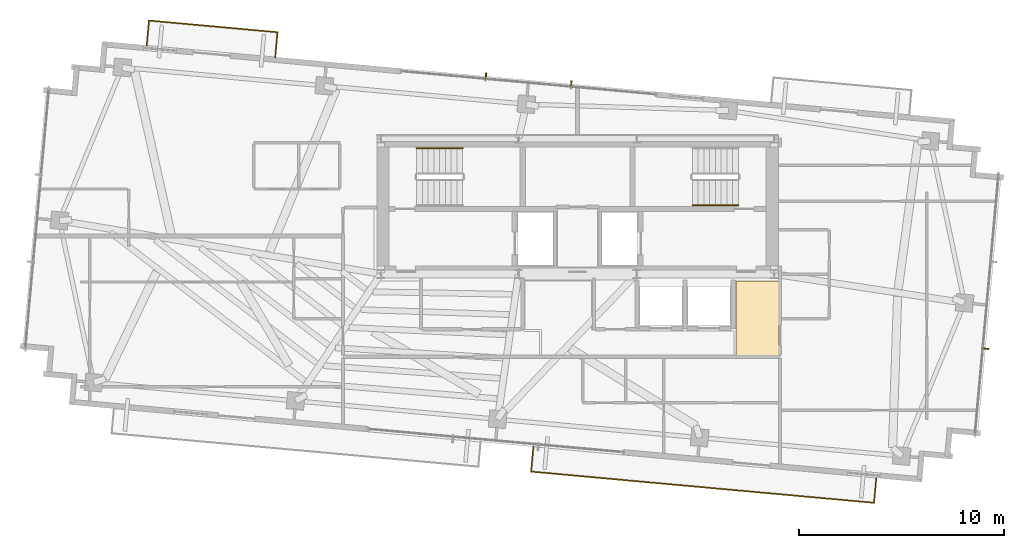
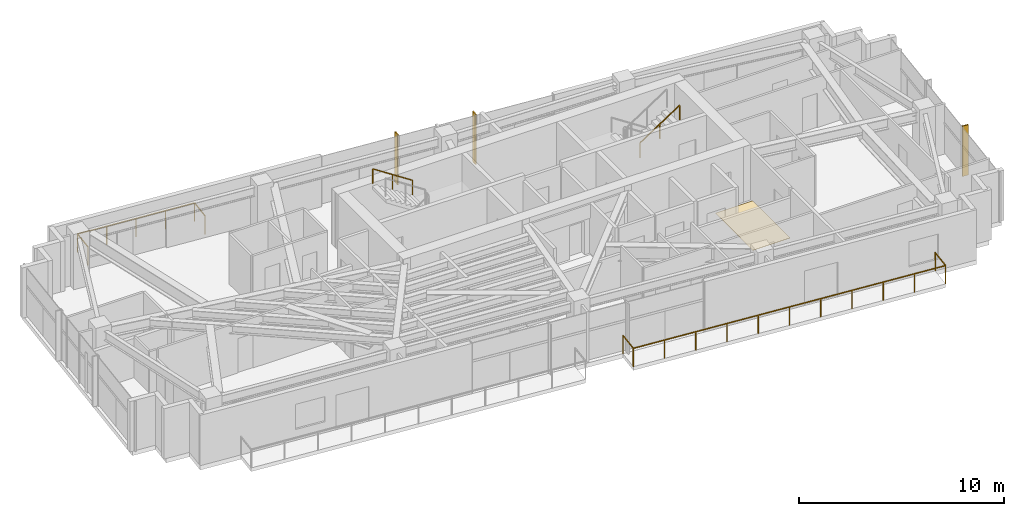
# One storey, part 21 of 22: 4 railings, 3 shading devices, 1 covering.
"""IFC4 building model written with IfcOpenShell, lengths in metres."""

from ifc_helpers import new_model, si_unit, direction, frame, origin, origin_2d, place, context, subcontext, project, spatial, polyline, rectangle, outline, extrude, source, transform, mapped, material, layer, layer_set, type_object, type_shapes, element, save


model = new_model("IFC4")

# Units and contexts
model_context = context("Model", 3, precision=1e-05, world=origin(), true_north=direction((0.0, 1.0)))
body_context = subcontext(model_context, "Body", "Model", "MODEL_VIEW")
ifc_project = project(units=[si_unit("LENGTHUNIT", "METRE"), si_unit("AREAUNIT", "SQUARE_METRE"), si_unit("VOLUMEUNIT", "CUBIC_METRE"), si_unit("PLANEANGLEUNIT", "RADIAN"), si_unit("MASSUNIT", "GRAM", prefix="KILO")], contexts=[model_context])

# Site, building, storey
site_placement = place(None, origin())
site = spatial("IfcSite", under=ifc_project, at=site_placement, CompositionType="ELEMENT")
building_placement = place(site_placement, origin())
building = spatial("IfcBuilding", under=site, at=building_placement, Name="Astriad Promenade Condominiums", CompositionType="ELEMENT")
storey_placement = place(building_placement, frame((0.0, 0.0, 256.199951171875)))
storey = spatial("IfcBuildingStorey", under=building, at=storey_placement, Name="L74", CompositionType="ELEMENT", Elevation=256.199951171875)

# Covering
ifc_material_1 = material(Name="Polished Lakefront Terrazzo Flooring")
ifc_layer = layer(ifc_material_1, 0.02001953125)
ifc_layer_set = layer_set([ifc_layer], Name="Polished Lakefront Terrazzo Flooring")
covering_type = type_object("IfcCoveringType", Name="COV-FLOR-TERRAZZO-20", PredefinedType="FLOORING", material=ifc_layer_set)
covering_placement = place(storey_placement, origin())
element("IfcCovering", 1, at=covering_placement, inside=storey, type_object=covering_type, Name="FLR-L74-COR-2", PredefinedType="FLOORING", context=body_context, shape_type="SweptSolid", body=[
    extrude(outline(polyline([(43.72998046875, 14.62353515625), (43.73095703125, 14.62451171875), (43.7333984375, 14.627685546875), (43.7353515625, 14.631103515625), (43.737060546875, 14.634765625), (43.73828125, 14.638427734375), (43.7392578125, 14.64208984375), (43.73974609375, 14.64599609375), (43.739990234375, 14.64990234375), (43.739990234375, 17.06005859375), (45.840087890625, 17.06005859375), (45.840087890625, 13.39990234375), (43.72998046875, 13.39990234375), (43.72998046875, 14.62353515625)])), origin(), (0.0, 0.0, 1.0), 0.02001953125),
])

# Railings
ifc_material_2 = material(Name="Laminated Glass and Stainless Steel Balustrade", Category="steel")
railing_type_1 = type_object("IfcRailingType", Name="GRD-BALC-1120", PredefinedType="BALUSTRADE", material=ifc_material_2)
shared_shape_1 = source(origin(), body_context, "Body", "SweptSolid", [
    extrude(rectangle(XDim=0.048095703125, YDim=0.048095703125, at=origin_2d()), frame((0.0, 0.0, 1.09619140625), z_axis=(-0.090643994769, -0.995883359743, 0.0), x_axis=(0.995883359743, -0.090643994769, 0.0)), (0.0, 0.0, 1.0), 1.22021484375),
    extrude(rectangle(XDim=0.048095703125, YDim=0.048095703125, at=origin_2d()), frame((-0.110595703125, -1.215087890625, 1.09619140625), z_axis=(0.995883798248, -0.09063917689, 0.0), x_axis=(0.09063917689, 0.995883798248, 0.0)), (0.0, 0.0, 1.0), 16.81298828125),
    extrude(rectangle(XDim=0.048095703125, YDim=0.048095703125, at=origin_2d()), frame((16.63330078125, -2.739013671875, 1.09619140625), z_axis=(0.090445536319, 0.995901403232, 0.0), x_axis=(-0.995901403232, 0.090445536319, 0.0)), (0.0, 0.0, 1.0), 1.219970703125),
    extrude(rectangle(XDim=0.0419921875, YDim=0.0419921875, at=origin_2d()), origin(), (0.0, 0.0, 1.0), 1.072021484375),
    extrude(rectangle(XDim=0.0419921875, YDim=0.0419921875, at=origin_2d()), frame((-0.110595703125, -1.215087890625, 0.0)), (0.0, 0.0, 1.0), 1.072021484375),
    extrude(rectangle(XDim=0.0419921875, YDim=0.0419921875, at=origin_2d()), frame((1.563720703125, -1.367431640625, 0.0)), (0.0, 0.0, 1.0), 1.072021484375),
    extrude(rectangle(XDim=0.0419921875, YDim=0.0419921875, at=origin_2d()), frame((3.23828125, -1.519775390625, 0.0)), (0.0, 0.0, 1.0), 1.072021484375),
    extrude(rectangle(XDim=0.0419921875, YDim=0.0419921875, at=origin_2d()), frame((4.91259765625, -1.67236328125, 0.0)), (0.0, 0.0, 1.0), 1.072021484375),
    extrude(rectangle(XDim=0.0419921875, YDim=0.0419921875, at=origin_2d()), frame((6.5869140625, -1.82470703125, 0.0)), (0.0, 0.0, 1.0), 1.072021484375),
    extrude(rectangle(XDim=0.0419921875, YDim=0.0419921875, at=origin_2d()), frame((8.26123046875, -1.97705078125, 0.0)), (0.0, 0.0, 1.0), 1.072021484375),
    extrude(rectangle(XDim=0.0419921875, YDim=0.0419921875, at=origin_2d()), frame((9.935791015625, -2.12939453125, 0.0)), (0.0, 0.0, 1.0), 1.072021484375),
    extrude(rectangle(XDim=0.0419921875, YDim=0.0419921875, at=origin_2d()), frame((11.610107421875, -2.28173828125, 0.0)), (0.0, 0.0, 1.0), 1.072021484375),
    extrude(rectangle(XDim=0.0419921875, YDim=0.0419921875, at=origin_2d()), frame((13.284423828125, -2.434326171875, 0.0)), (0.0, 0.0, 1.0), 1.072021484375),
    extrude(rectangle(XDim=0.0419921875, YDim=0.0419921875, at=origin_2d()), frame((14.958984375, -2.586669921875, 0.0)), (0.0, 0.0, 1.0), 1.072021484375),
    extrude(rectangle(XDim=0.0419921875, YDim=0.0419921875, at=origin_2d()), frame((16.63330078125, -2.739013671875, 0.0)), (0.0, 0.0, 1.0), 1.072021484375),
    extrude(rectangle(XDim=0.0419921875, YDim=0.0419921875, at=origin_2d()), frame((16.74365234375, -1.52392578125, 0.0)), (0.0, 0.0, 1.0), 1.072021484375),
])
railing_1_placement = place(storey_placement, frame((33.841796875, 8.968505859375, 0.0)))
element("IfcRailing", 2, at=railing_1_placement, inside=storey, type_object=railing_type_1, Name="GRD-BALC-L74-SE", PredefinedType="BALUSTRADE", context=body_context, shape_type="MappedRepresentation", body=[
    mapped(shared_shape_1, transform((0.0, 0.0, 0.0), scale=1.0)),
])
shared_shape_2 = source(origin(), body_context, "Body", "SweptSolid", [
    extrude(rectangle(XDim=0.048095703125, YDim=0.048095703125, at=origin_2d()), frame((0.0, 0.0, 1.09619140625), z_axis=(0.090643994769, 0.995883359743, 0.0), x_axis=(-0.995883359743, 0.090643994769, 0.0)), (0.0, 0.0, 1.0), 1.22021484375),
    extrude(rectangle(XDim=0.048095703125, YDim=0.048095703125, at=origin_2d()), frame((0.110595703125, 1.215087890625, 1.09619140625), z_axis=(-0.995886856425, 0.090605569364, 0.0), x_axis=(-0.090605569364, -0.995886856425, 0.0)), (0.0, 0.0, 1.0), 6.30517578125),
    extrude(rectangle(XDim=0.048095703125, YDim=0.048095703125, at=origin_2d()), frame((-6.168701171875, 1.786376953125, 1.09619140625), z_axis=(-0.090463563939, -0.99589976584, 0.0), x_axis=(0.99589976584, -0.090463563939, 0.0)), (0.0, 0.0, 1.0), 1.2197265625),
    extrude(rectangle(XDim=0.0419921875, YDim=0.0419921875, at=origin_2d()), origin(), (0.0, 0.0, 1.0), 1.072021484375),
    extrude(rectangle(XDim=0.0419921875, YDim=0.0419921875, at=origin_2d()), frame((0.110595703125, 1.215087890625, 0.0)), (0.0, 0.0, 1.0), 1.072021484375),
    extrude(rectangle(XDim=0.0419921875, YDim=0.0419921875, at=origin_2d()), frame((-1.459228515625, 1.35791015625, 0.0)), (0.0, 0.0, 1.0), 1.072021484375),
    extrude(rectangle(XDim=0.0419921875, YDim=0.0419921875, at=origin_2d()), frame((-3.029052734375, 1.500732421875, 0.0)), (0.0, 0.0, 1.0), 1.072021484375),
    extrude(rectangle(XDim=0.0419921875, YDim=0.0419921875, at=origin_2d()), frame((-4.598876953125, 1.6435546875, 0.0)), (0.0, 0.0, 1.0), 1.072021484375),
    extrude(rectangle(XDim=0.0419921875, YDim=0.0419921875, at=origin_2d()), frame((-6.168701171875, 1.786376953125, 0.0)), (0.0, 0.0, 1.0), 1.072021484375),
    extrude(rectangle(XDim=0.0419921875, YDim=0.0419921875, at=origin_2d()), frame((-6.279052734375, 0.571533203125, 0.0)), (0.0, 0.0, 1.0), 1.072021484375),
])
type_shapes(railing_type_1, [shared_shape_1, shared_shape_2])
railing_2_placement = place(storey_placement, frame((21.247802734375, 27.988037109375, 0.0)))
element("IfcRailing", 3, at=railing_2_placement, inside=storey, type_object=railing_type_1, Name="GRD-BALC-L74-NW", PredefinedType="BALUSTRADE", context=body_context, shape_type="MappedRepresentation", body=[
    mapped(shared_shape_2, transform((0.0, 0.0, 0.0), scale=1.0)),
])

# Shading devices
ifc_material_3 = material(Name="Anodised aluminium 6063-T6 Black Fin", Category="aluminium")
shading_device_type = type_object("IfcShadingDeviceType", Name="FIN-BLACK-260", PredefinedType="USERDEFINED", material=ifc_material_3)
shared_shape_3 = source(origin(), body_context, "Body", "SweptSolid", [
    extrude(rectangle(XDim=0.06494140625, YDim=0.320068359375, at=origin_2d()), origin(), (0.0, 0.0, 1.0), 3.0),
])
type_shapes(shading_device_type, [shared_shape_3])
for number, where, z_axis, x_axis, name in (
    (4, (31.526123046875, 27.062744140625, 0.0), (0.0, 0.0, 1.0), (0.995884398616, -0.090632580198, 0.0), "CW-L74-N-FIN-01"),
    (5, (35.68896484375, 26.683837890625, 0.0), (0.0, 0.0, 1.0), (0.995884398616, -0.090632580198, 0.0), "CW-L74-N-FIN-02"),
    (6, (55.920166015625, 13.753662109375, 0.0), (0.0, 0.0, 1.0), (-0.090632580198, -0.995884398616, 0.0), "CW-L74-E-FIN-02"),
):
    element("IfcShadingDevice", number, at=place(storey_placement, frame(where, z_axis=z_axis, x_axis=x_axis)), inside=storey, type_object=shading_device_type, Name=name, ObjectType="FIN", PredefinedType="USERDEFINED", context=body_context, shape_type="MappedRepresentation", body=[
        mapped(shared_shape_3, transform((0.0, 0.0, 0.0), scale=1.0)),
    ])

# Railings
ifc_material_4 = material(Name="Brushed Stainless Steel Handrail", Category="steel")
railing_type_2 = type_object("IfcRailingType", Name="HRL-STAIR-920", PredefinedType="HANDRAIL", material=ifc_material_4)
shared_shape_4 = source(origin(), body_context, "Body", "SweptSolid", [
    extrude(rectangle(XDim=0.048095703125, YDim=0.048095703125, at=origin_2d()), frame((0.0, 0.0, 0.8759765625), z_axis=(0.836636935527, 0.0, 0.547757827979), x_axis=(0.0, 1.0, 0.0)), (0.0, 0.0, 1.0), 2.677490234375),
    extrude(rectangle(XDim=0.0419921875, YDim=0.0419921875, at=origin_2d()), origin(), (0.0, 0.0, 1.0), 0.851806640625),
    extrude(rectangle(XDim=0.0419921875, YDim=0.0419921875, at=origin_2d()), frame((1.1201171875, 0.0, 0.7333984375)), (0.0, 0.0, 1.0), 0.851806640625),
    extrude(rectangle(XDim=0.0419921875, YDim=0.0419921875, at=origin_2d()), frame((2.239990234375, 0.0, 1.466552734375)), (0.0, 0.0, 1.0), 0.851806640625),
])
railing_3_placement = place(storey_placement, frame((41.610107421875, 20.75, 1.83349609375)))
element("IfcRailing", 7, at=railing_3_placement, inside=storey, type_object=railing_type_2, Name="L74 ST-2 stair handrail 2", PredefinedType="HANDRAIL", context=body_context, shape_type="MappedRepresentation", body=[
    mapped(shared_shape_4, transform((0.0, 0.0, 0.0), scale=1.0)),
])
shared_shape_5 = source(origin(), body_context, "Body", "SweptSolid", [
    extrude(rectangle(XDim=0.048095703125, YDim=0.048095703125, at=origin_2d()), frame((0.0, 0.0, 0.8759765625), z_axis=(-0.836636935527, 0.0, 0.547757827979), x_axis=(0.0, -1.0, 0.0)), (0.0, 0.0, 1.0), 2.677490234375),
    extrude(rectangle(XDim=0.0419921875, YDim=0.0419921875, at=origin_2d()), origin(), (0.0, 0.0, 1.0), 0.851806640625),
    extrude(rectangle(XDim=0.0419921875, YDim=0.0419921875, at=origin_2d()), frame((-1.1201171875, 0.0, 0.7333984375)), (0.0, 0.0, 1.0), 0.851806640625),
    extrude(rectangle(XDim=0.0419921875, YDim=0.0419921875, at=origin_2d()), frame((-2.239990234375, 0.0, 1.466552734375)), (0.0, 0.0, 1.0), 0.851806640625),
])
type_shapes(railing_type_2, [shared_shape_4, shared_shape_5])
railing_4_placement = place(storey_placement, frame((30.389892578125, 23.550048828125, 1.83349609375)))
element("IfcRailing", 8, at=railing_4_placement, inside=storey, type_object=railing_type_2, Name="L74 ST-1 stair handrail 2", PredefinedType="HANDRAIL", context=body_context, shape_type="MappedRepresentation", body=[
    mapped(shared_shape_5, transform((0.0, 0.0, 0.0), scale=1.0)),
])

save(model, "model.ifc")
